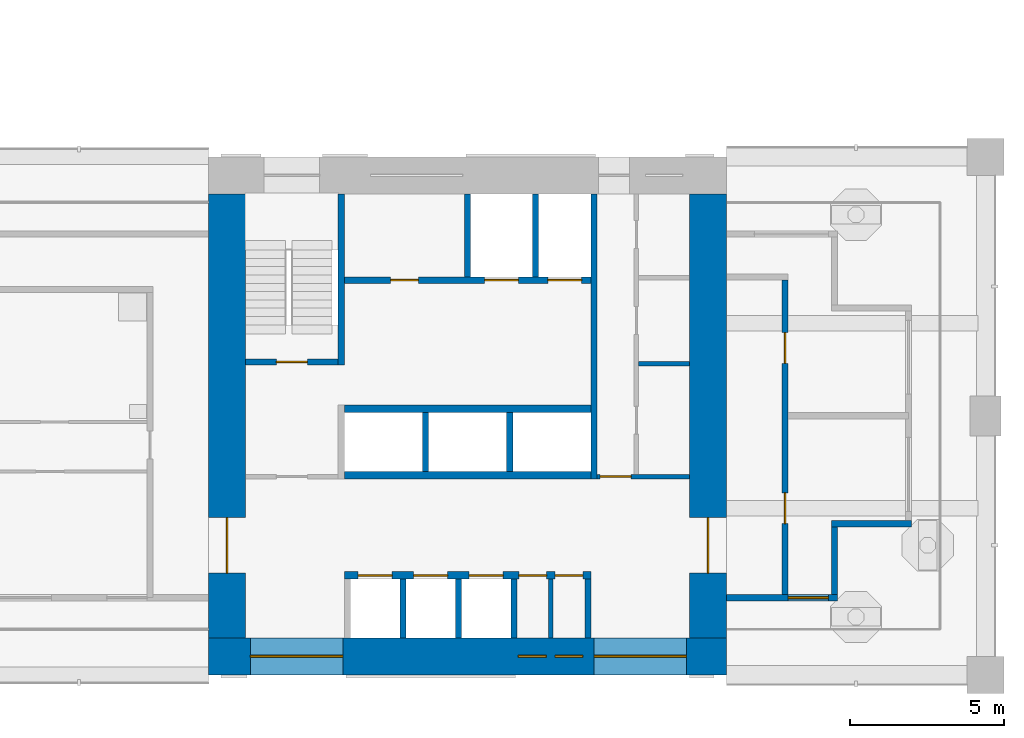
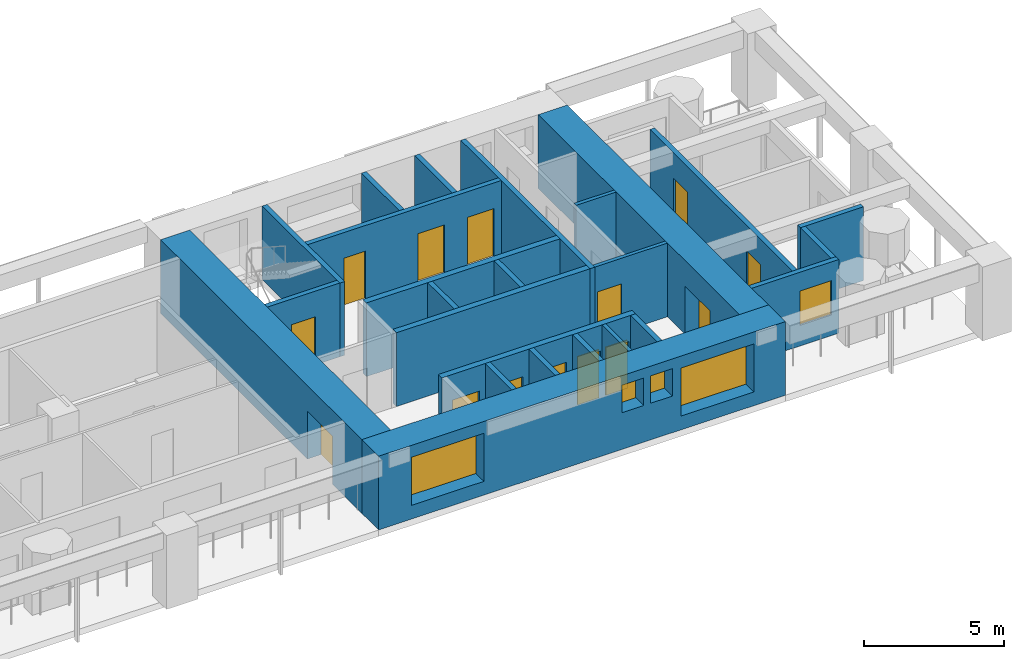
# One storey, part 5 of 18: 25 walls, 14 doors, 5 windows, 19 openings.
"""IFC4 building model written with IfcOpenShell, lengths in metres."""

import ifcopenshell
import ifcopenshell.guid

model = None  # the IFC model being written
_history = None  # IfcOwnerHistory: only IFC2X3 demands one
_inside = {}  # id of a spatial element -> (the spatial element, [elements in it])
_under = {}  # id of a project, library or spatial element -> (it, [spatial elements below it])
_declared = {}  # id of a project -> (the project, [libraries it declares])
_typed = {}  # id of a type object -> (the type object, [elements of that type])
_made_of = {}  # id of a material, layer set ... -> (it, [elements and type objects made of it])


def new_model(schema):
    """Start an empty IFC model of exactly this schema.

    Asked for "IFC4X3", IfcOpenShell would pick the latest addendum, in which some entities
    have other attributes; the version numbers below select the first issue.
    IFC2X3 requires an IfcOwnerHistory on every rooted entity: one is made here for all.
    """
    global model, _history
    if schema == "IFC4X3":
        model = ifcopenshell.file(schema_version=(4, 3, 0, 0))
    else:
        model = ifcopenshell.file(schema=schema)
    _inside.clear()
    _under.clear()
    _declared.clear()
    _typed.clear()
    _made_of.clear()
    _history = None
    if model.schema == "IFC2X3":
        org = make("IfcOrganization", Name="unknown")
        user = make(
            "IfcPersonAndOrganization",
            ThePerson=make("IfcPerson", FamilyName="unknown"),
            TheOrganization=org,
        )
        app = make(
            "IfcApplication",
            ApplicationDeveloper=org,
            Version="unknown",
            ApplicationFullName="unknown",
            ApplicationIdentifier="unknown",
        )
        _history = make(
            "IfcOwnerHistory",
            OwningUser=user,
            OwningApplication=app,
            ChangeAction="ADDED",
            CreationDate=0,
        )
    return model


def make(cls, **values):
    """One entity of the class cls with the attributes given. An attribute that is None is left unset."""
    return model.create_entity(
        cls, **{name: value for name, value in values.items() if value is not None}
    )


def rooted(cls, **values):
    """An entity with a GlobalId (a new one), such as an element, a storey or a relation."""
    return make(cls, GlobalId=ifcopenshell.guid.new(), OwnerHistory=_history, **values)


def si_unit(unit_type, name, prefix=None):
    """IfcSIUnit, for example si_unit("LENGTHUNIT", "METRE", prefix="MILLI")."""
    return make("IfcSIUnit", UnitType=unit_type, Prefix=prefix, Name=name)


def assignment(units):
    """IfcUnitAssignment: the units of a project."""
    return None if units is None else make("IfcUnitAssignment", Units=units)


def point(xyz):
    """IfcCartesianPoint."""
    return None if xyz is None else make("IfcCartesianPoint", Coordinates=xyz)


def direction(xyz):
    """IfcDirection."""
    return None if xyz is None else make("IfcDirection", DirectionRatios=xyz)


def frame(location, z_axis=None, x_axis=None):
    """IfcAxis2Placement3D, a coordinate frame: its origin and axes. An axis left out is left unset."""
    return make(
        "IfcAxis2Placement3D",
        Location=point(location),
        Axis=direction(z_axis),
        RefDirection=direction(x_axis),
    )


def frame_2d(location, x_axis=None):
    """IfcAxis2Placement2D, a coordinate frame in the plane: its origin and x axis."""
    return make(
        "IfcAxis2Placement2D", Location=point(location), RefDirection=direction(x_axis)
    )


def origin():
    """The frame at (0, 0, 0) with its axes left unset."""
    return frame((0.0, 0.0, 0.0))


def place(relative_to, where):
    """IfcLocalPlacement: puts the frame where relative to a parent placement (None: the world)."""
    return make(
        "IfcLocalPlacement", PlacementRelTo=relative_to, RelativePlacement=where
    )


def context(
    kind, dimensions, precision=None, world=None, true_north=None, identifier=None
):
    """IfcGeometricRepresentationContext, for example the 3D "Model" context."""
    return make(
        "IfcGeometricRepresentationContext",
        ContextIdentifier=identifier,
        ContextType=kind,
        CoordinateSpaceDimension=dimensions,
        Precision=precision,
        WorldCoordinateSystem=world,
        TrueNorth=true_north,
    )


def subcontext(parent, identifier, kind, view, scale=None):
    """IfcGeometricRepresentationSubContext, for example "Body" below "Model"."""
    return make(
        "IfcGeometricRepresentationSubContext",
        ContextIdentifier=identifier,
        ContextType=kind,
        ParentContext=parent,
        TargetScale=scale,
        TargetView=view,
    )


def project(units=None, contexts=None):
    """IfcProject with its units and contexts."""
    return rooted(
        "IfcProject",
        Name="project",
        RepresentationContexts=contexts,
        UnitsInContext=assignment(units),
    )


def spatial(cls, under=None, at=None, **own):
    """A site, building, storey or space (cls), placed at a placement, below another one or the project."""
    s = rooted(cls, ObjectPlacement=at, **own)
    if under is not None:
        _under.setdefault(under.id(), (under, []))[1].append(s)
    return s


def profile(cls, at=None, kind="AREA", **sizes):
    """A parametric profile (cls). Its sizes go by their IFC names, for example OverallWidth=200.0."""
    return make(cls, ProfileType=kind, Position=at, **sizes)


def rectangle(**sizes):
    """IfcRectangleProfileDef."""
    return profile("IfcRectangleProfileDef", **sizes)


def extrude(swept, where, along, depth):
    """IfcExtrudedAreaSolid: the profile swept, set in the frame where, extruded along a direction by depth."""
    return make(
        "IfcExtrudedAreaSolid",
        SweptArea=swept,
        Position=where,
        ExtrudedDirection=direction(along),
        Depth=depth,
    )


def shape(context_of_items, identifier, shape_type, items):
    """IfcShapeRepresentation: the items that make up one representation, for example the "Body"."""
    return make(
        "IfcShapeRepresentation",
        ContextOfItems=context_of_items,
        RepresentationIdentifier=identifier,
        RepresentationType=shape_type,
        Items=items,
    )


def material(Name=None, Category=None):
    """IfcMaterial."""
    return make("IfcMaterial", Name=Name, Category=Category)


def layer(
    of_material, thickness, ventilated=None, Name=None, Category=None, Priority=None
):
    """IfcMaterialLayer: one layer of a wall or slab, of a material (None: an air gap)."""
    return make(
        "IfcMaterialLayer",
        Material=of_material,
        LayerThickness=thickness,
        IsVentilated=ventilated,
        Name=Name,
        Category=Category,
        Priority=Priority,
    )


def layer_set(layers, Name=None):
    """IfcMaterialLayerSet."""
    return make("IfcMaterialLayerSet", MaterialLayers=layers, LayerSetName=Name)


def made_of(thing, what):
    """Note that an element or type object is made of a material, layer set ...; save() writes the relation."""
    if what is not None:
        _made_of.setdefault(what.id(), (what, []))[1].append(thing)
    return thing


def type_object(cls, material=None, **own):
    """A type object (cls), such as IfcWallType, which elements share."""
    return made_of(rooted(cls, **own), material)


def element(
    cls,
    number,
    at=None,
    inside=None,
    cuts=None,
    type_object=None,
    material=None,
    context=None,
    identifier="Body",
    shape_type=None,
    held_by="IfcProductDefinitionShape",
    body=None,
    shapes=None,
    **own,
):
    """One element of the class cls, such as IfcWall. Its Tag is "e" and its number.

    at: its placement. inside: the storey or other place that contains it. cuts: it is an
    opening in that element (IfcRelVoidsElement). A single representation is given by context,
    identifier, shape_type and body (its items); several are given by shapes. held_by: the class
    of the entity that holds the representations. save() writes the other relations.
    """
    e = rooted(cls, Tag="e%d" % number, ObjectPlacement=at, **own)
    if body is not None:
        shapes = [shape(context, identifier, shape_type, body)]
    if shapes is not None:
        e.Representation = make(held_by, Representations=shapes)
    if inside is not None:
        _inside.setdefault(inside.id(), (inside, []))[1].append(e)
    if cuts is not None:
        rooted(
            "IfcRelVoidsElement", RelatingBuildingElement=cuts, RelatedOpeningElement=e
        )
    if type_object is not None:
        _typed.setdefault(type_object.id(), (type_object, []))[1].append(e)
    return made_of(e, material)


def fill(opening, filler):
    """IfcRelFillsElement: the door or window that sits in an opening."""
    return rooted(
        "IfcRelFillsElement",
        RelatingOpeningElement=opening,
        RelatedBuildingElement=filler,
    )


def aggregate(whole, parts):
    """IfcRelAggregates: a whole, such as a stair, and the parts it consists of."""
    return rooted("IfcRelAggregates", RelatingObject=whole, RelatedObjects=parts)


def save(model, path):
    """Write the relations noted so far, then the file.

    IfcRelAggregates (storeys below a building ...), IfcRelContainedInSpatialStructure (elements
    in a storey), IfcRelDefinesByType, IfcRelAssociatesMaterial and IfcRelDeclares: one each for
    every whole, place, type object, material and project.
    """
    for whole, parts in _under.values():
        aggregate(whole, parts)
    for where, things in _inside.values():
        rooted(
            "IfcRelContainedInSpatialStructure",
            RelatedElements=things,
            RelatingStructure=where,
        )
    for kind, things in _typed.values():
        rooted("IfcRelDefinesByType", RelatedObjects=things, RelatingType=kind)
    for what, things in _made_of.values():
        rooted("IfcRelAssociatesMaterial", RelatedObjects=things, RelatingMaterial=what)
    for by, libraries in _declared.values():
        rooted("IfcRelDeclares", RelatingContext=by, RelatedDefinitions=libraries)
    model.write(path)


model = new_model("IFC4")

# Units and contexts
model_context = context("Model", 3, precision=1e-05, world=origin(), true_north=direction((0.0, 1.0)))
body_context = subcontext(model_context, "Body", "Model", "MODEL_VIEW")
ifc_project = project(units=[si_unit("LENGTHUNIT", "METRE"), si_unit("AREAUNIT", "SQUARE_METRE"), si_unit("VOLUMEUNIT", "CUBIC_METRE"), si_unit("PLANEANGLEUNIT", "RADIAN"), si_unit("MASSUNIT", "GRAM", prefix="KILO")], contexts=[model_context])

# Site, building, storey
site_placement = place(None, origin())
site = spatial("IfcSite", under=ifc_project, at=site_placement, CompositionType="ELEMENT")
building_placement = place(site_placement, origin())
building = spatial("IfcBuilding", under=site, at=building_placement, Name="Vermilion Gate Residences", CompositionType="ELEMENT")
storey_placement = place(building_placement, frame((0.0, 0.0, 88.199951171875)))
storey = spatial("IfcBuildingStorey", under=building, at=storey_placement, Name="L21", CompositionType="ELEMENT", Elevation=88.199951171875)

# Wall
ifc_material_1 = material(Name="Masonry blockwork", Category="masonry")
ifc_layer_1 = layer(ifc_material_1, 0.14990234375)
ifc_layer_set_1 = layer_set([ifc_layer_1], Name="BLOCKWORK PARTITION 150 EI 120")
wall_type_1 = type_object("IfcWallType", Name="BLOCKWORK PARTITION 150 EI 120", PredefinedType="PARTITIONING", material=ifc_layer_set_1)
wall_1_placement = place(storey_placement, frame((53.10009765625, 9.60009765625, 0.0), z_axis=(0.0, 0.0, 1.0), x_axis=(0.0, 1.0, 0.0)))
element("IfcWall", 1, at=wall_1_placement, inside=storey, type_object=wall_type_1, Name="Core room partition A21-SR-P0", PredefinedType="PARTITIONING", context=body_context, shape_type="SweptSolid", body=[
    extrude(rectangle(XDim=1.89990234375, YDim=0.14990234375, at=frame_2d((0.949951171875, 0.0))), origin(), (0.0, 0.0, 1.0), 3.219970703125),
])

# Wall, opening, door
wall_2_placement = place(storey_placement, frame((54.60009765625, 14.824951171875, 0.0), z_axis=(0.0, 0.0, 1.0), x_axis=(1.0, 0.0, 0.0)))
wall_2 = element("IfcWall", 2, at=wall_2_placement, inside=storey, type_object=wall_type_1, Name="Core room partition A21-ES-S", PredefinedType="PARTITIONING", context=body_context, shape_type="SweptSolid", body=[
    extrude(rectangle(XDim=3.0, YDim=0.14990234375, at=frame_2d((1.5, 0.0))), origin(), (0.0, 0.0, 1.0), 3.219970703125),
])
opening_1_placement = place(wall_2_placement, frame((0.10009765625, 0.0, 0.0)))
opening_1 = element("IfcOpeningElement", 3, at=opening_1_placement, cuts=wall_2, Name="Opening DK21013", PredefinedType="OPENING", context=body_context, shape_type="SweptSolid", body=[
    extrude(rectangle(XDim=1.0, YDim=2.10009765625, at=frame_2d((0.5, 1.050048828125))), frame((0.0, 0.0849609375, 0.0), z_axis=(0.0, -1.0, 0.0), x_axis=(1.0, 0.0, 0.0)), (0.0, 0.0, 1.0), 0.169921875),
])
ifc_material_2 = material(Name="Steel", Category="steel")
door_type_1 = type_object("IfcDoorType", Name="FIRE DOOR FD60 1000 X 2100", OperationType="SINGLE_SWING_LEFT", PredefinedType="DOOR", material=ifc_material_2)
door_1_placement = place(opening_1_placement, frame((1.0, 0.0, 0.0), z_axis=(0.0, 0.0, 1.0), x_axis=(-1.0, 0.0, 0.0)))
door_1 = element("IfcDoor", 4, at=door_1_placement, inside=storey, type_object=door_type_1, Name="Service corridor door A21", OperationType="SINGLE_SWING_LEFT", OverallHeight=2.10009765625, OverallWidth=1.0, PredefinedType="DOOR", context=body_context, shape_type="SweptSolid", body=[
    extrude(rectangle(XDim=1.0, YDim=2.10009765625, at=frame_2d((0.5, 1.050048828125))), frame((0.0, 0.02490234375, 0.0), z_axis=(0.0, -1.0, 0.0), x_axis=(1.0, 0.0, 0.0)), (0.0, 0.0, 1.0), 0.050048828125),
])
fill(opening_1, door_1)

# Wall
wall_3_placement = place(storey_placement, frame((55.949951171875, 18.4951171875, 0.0), z_axis=(0.0, 0.0, 1.0), x_axis=(1.0, 0.0, 0.0)))
element("IfcWall", 5, at=wall_3_placement, inside=storey, type_object=wall_type_1, Name="Core room partition A21-ES-P0", PredefinedType="PARTITIONING", context=body_context, shape_type="SweptSolid", body=[
    extrude(rectangle(XDim=1.650146484375, YDim=0.14990234375, at=frame_2d((0.8251953125, 0.0))), origin(), (0.0, 0.0, 1.0), 3.219970703125),
])

# Wall, opening, window
ifc_material_3 = material(Name="Insulated steel stud wall with terracotta rainscreen", Category="masonry")
ifc_layer_2 = layer(ifc_material_3, 0.199951171875)
ifc_layer_set_2 = layer_set([ifc_layer_2], Name="EXTERNAL WALL 200 TERRACOTTA RAINSCREEN")
wall_type_2 = type_object("IfcWallType", Name="EXTERNAL WALL 200 TERRACOTTA RAINSCREEN", PredefinedType="SOLIDWALL", material=ifc_layer_set_2)
wall_4_placement = place(storey_placement, frame((58.800048828125, 10.89990234375, 0.0), z_axis=(0.0, 0.0, 1.0), x_axis=(1.0, 0.0, 0.0)))
wall_4 = element("IfcWall", 6, at=wall_4_placement, inside=storey, type_object=wall_type_2, Name="External wall", PredefinedType="SOLIDWALL", context=body_context, shape_type="SweptSolid", body=[
    extrude(rectangle(XDim=3.599853515625, YDim=0.199951171875, at=frame_2d((1.7998046875, 0.0))), origin(), (0.0, 0.0, 1.0), 3.219970703125),
])
opening_2_placement = place(wall_4_placement, frame((2.0, 0.0, 0.89990234375)))
opening_2 = element("IfcOpeningElement", 7, at=opening_2_placement, cuts=wall_4, Name="Opening WE21020", PredefinedType="OPENING", context=body_context, shape_type="SweptSolid", body=[
    extrude(rectangle(XDim=1.300048828125, YDim=1.5, at=frame_2d((0.64990234375, 0.75))), frame((0.0, 0.10986328125, 0.0), z_axis=(0.0, -1.0, 0.0), x_axis=(1.0, 0.0, 0.0)), (0.0, 0.0, 1.0), 0.219970703125),
])
ifc_material_4 = material(Name="Aluminium and clear glass", Category="aluminium")
window_type_1 = type_object("IfcWindowType", Name="WINDOW 1300 X 1500", PartitioningType="SINGLE_PANEL", PredefinedType="WINDOW", material=ifc_material_4)
window_1_placement = place(opening_2_placement, origin())
window_1 = element("IfcWindow", 8, at=window_1_placement, inside=storey, type_object=window_type_1, Name="Window", OverallHeight=1.5, OverallWidth=1.300048828125, PartitioningType="SINGLE_PANEL", PredefinedType="WINDOW", context=body_context, shape_type="SweptSolid", body=[
    extrude(rectangle(XDim=1.300048828125, YDim=1.5, at=frame_2d((0.64990234375, 0.75))), frame((0.0, 0.030029296875, 0.0), z_axis=(0.0, -1.0, 0.0), x_axis=(1.0, 0.0, 0.0)), (0.0, 0.0, 1.0), 0.06005859375),
])
fill(opening_2, window_1)

# Walls
wall_5_placement = place(storey_placement, frame((62.300048828125, 11.0, 0.0), z_axis=(0.0, 0.0, 1.0), x_axis=(0.0, 1.0, 0.0)))
element("IfcWall", 9, at=wall_5_placement, inside=storey, type_object=wall_type_2, Name="External wall", PredefinedType="SOLIDWALL", context=body_context, shape_type="SweptSolid", body=[
    extrude(rectangle(XDim=2.199951171875, YDim=0.199951171875, at=frame_2d((1.10009765625, 0.0))), origin(), (0.0, 0.0, 1.0), 3.219970703125),
])
wall_6_placement = place(storey_placement, frame((62.199951171875, 13.300048828125, 0.0), z_axis=(0.0, 0.0, 1.0), x_axis=(1.0, 0.0, 0.0)))
element("IfcWall", 10, at=wall_6_placement, inside=storey, type_object=wall_type_2, Name="External wall", PredefinedType="SOLIDWALL", context=body_context, shape_type="SweptSolid", body=[
    extrude(rectangle(XDim=2.60009765625, YDim=0.199951171875, at=frame_2d((1.300048828125, 0.0))), origin(), (0.0, 0.0, 1.0), 3.219970703125),
])

# Wall, openings, doors
ifc_material_5 = material(Name="Fire-rated plasterboard on steel studs", Category="steel")
ifc_layer_3 = layer(ifc_material_5, 0.199951171875)
ifc_layer_set_3 = layer_set([ifc_layer_3], Name="PARTY WALL 200 EI 120")
wall_type_3 = type_object("IfcWallType", Name="PARTY WALL 200 EI 120", PredefinedType="PARTITIONING", material=ifc_layer_set_3)
wall_7_placement = place(storey_placement, frame((60.699951171875, 10.89990234375, 0.0), z_axis=(0.0, 0.0, 1.0), x_axis=(0.0, 1.0, 0.0)))
wall_7 = element("IfcWall", 11, at=wall_7_placement, inside=storey, type_object=wall_type_3, Name="Party and corridor wall", PredefinedType="PARTITIONING", context=body_context, shape_type="SweptSolid", body=[
    extrude(rectangle(XDim=10.300048828125, YDim=0.199951171875, at=frame_2d((5.14990234375, 0.0))), origin(), (0.0, 0.0, 1.0), 3.219970703125),
])
opening_3_placement = place(wall_7_placement, frame((2.39990234375, 0.0, 0.0)))
opening_3 = element("IfcOpeningElement", 12, at=opening_3_placement, cuts=wall_7, Name="Opening DA19046", PredefinedType="OPENING", context=body_context, shape_type="SweptSolid", body=[
    extrude(rectangle(XDim=1.0, YDim=2.10009765625, at=frame_2d((0.5, 1.050048828125))), frame((0.0, 0.10986328125, 0.0), z_axis=(0.0, -1.0, 0.0), x_axis=(1.0, 0.0, 0.0)), (0.0, 0.0, 1.0), 0.219970703125),
])
opening_4_placement = place(wall_7_placement, frame((7.60009765625, 0.0, 0.0)))
opening_4 = element("IfcOpeningElement", 13, at=opening_4_placement, cuts=wall_7, Name="Opening DA19047", PredefinedType="OPENING", context=body_context, shape_type="SweptSolid", body=[
    extrude(rectangle(XDim=1.0, YDim=2.10009765625, at=frame_2d((0.5, 1.050048828125))), frame((0.0, 0.10986328125, 0.0), z_axis=(0.0, -1.0, 0.0), x_axis=(1.0, 0.0, 0.0)), (0.0, 0.0, 1.0), 0.219970703125),
])
ifc_material_6 = material(Name="Steel", Category="steel")
door_type_2 = type_object("IfcDoorType", Name="ENTRANCE DOOR 1000 X 2100 FD30", OperationType="SINGLE_SWING_LEFT", PredefinedType="DOOR", material=ifc_material_6)
door_2_placement = place(opening_3_placement, frame((1.0, 0.0, 0.0), z_axis=(0.0, 0.0, 1.0), x_axis=(-1.0, 0.0, 0.0)))
door_2 = element("IfcDoor", 14, at=door_2_placement, inside=storey, type_object=door_type_2, Name="Entrance door", OperationType="SINGLE_SWING_RIGHT", OverallHeight=2.10009765625, OverallWidth=1.0, PredefinedType="DOOR", context=body_context, shape_type="SweptSolid", body=[
    extrude(rectangle(XDim=1.0, YDim=2.10009765625, at=frame_2d((0.5, 1.050048828125))), frame((0.0, 0.02490234375, 0.0), z_axis=(0.0, -1.0, 0.0), x_axis=(1.0, 0.0, 0.0)), (0.0, 0.0, 1.0), 0.050048828125),
])
fill(opening_3, door_2)
door_3_placement = place(opening_4_placement, frame((1.0, 0.0, 0.0), z_axis=(0.0, 0.0, 1.0), x_axis=(-1.0, 0.0, 0.0)))
door_3 = element("IfcDoor", 15, at=door_3_placement, inside=storey, type_object=door_type_2, Name="Entrance door", OperationType="SINGLE_SWING_RIGHT", OverallHeight=2.10009765625, OverallWidth=1.0, PredefinedType="DOOR", context=body_context, shape_type="SweptSolid", body=[
    extrude(rectangle(XDim=1.0, YDim=2.10009765625, at=frame_2d((0.5, 1.050048828125))), frame((0.0, 0.02490234375, 0.0), z_axis=(0.0, -1.0, 0.0), x_axis=(1.0, 0.0, 0.0)), (0.0, 0.0, 1.0), 0.050048828125),
])
fill(opening_4, door_3)

# Walls
ifc_material_7 = material(Name="Concrete C60", Category="concrete")
ifc_layer_4 = layer(ifc_material_7, 0.199951171875)
ifc_layer_set_4 = layer_set([ifc_layer_4], Name="RC CORE INTERNAL WALL 200 C60")
wall_type_4 = type_object("IfcWallType", Name="RC CORE INTERNAL WALL 200 C60", PredefinedType="SHEAR", material=ifc_layer_set_4)
for number, where, z_axis, x_axis, name in (
    (16, (48.300048828125, 9.60009765625, 0.0), (0.0, 0.0, 1.0), (0.0, 1.0, 0.0), "Core internal wall A21-LR-D1"),
    (17, (50.10009765625, 9.60009765625, 0.0), (0.0, 0.0, 1.0), (0.0, 1.0, 0.0), "Core internal wall A21-LR-D2"),
    (18, (51.89990234375, 9.60009765625, 0.0), (0.0, 0.0, 1.0), (0.0, 1.0, 0.0), "Core internal wall A21-LR-D3"),
    (19, (54.300048828125, 9.60009765625, 0.0), (0.0, 0.0, 1.0), (0.0, 1.0, 0.0), "Core internal wall A21-LR-DE"),
    (20, (49.033447265625, 15.0, 0.0), (0.0, 0.0, 1.0), (0.0, 1.0, 0.0), "Core internal wall A21-HR-D1"),
    (21, (51.7666015625, 15.0, 0.0), (0.0, 0.0, 1.0), (0.0, 1.0, 0.0), "Core internal wall A21-HR-D2"),
):
    element("IfcWall", number, at=place(storey_placement, frame(where, z_axis=z_axis, x_axis=x_axis)), inside=storey, type_object=wall_type_4, Name=name, PredefinedType="SHEAR", context=body_context, shape_type="SweptSolid", body=[
        extrude(rectangle(XDim=1.89990234375, YDim=0.199951171875, at=frame_2d((0.949951171875, 0.0))), origin(), (0.0, 0.0, 1.0), 3.219970703125),
    ])
for number, where, z_axis, x_axis, name in (
    (22, (50.39990234375, 21.300048828125, 0.0), (0.0, 0.0, 1.0), (0.0, 1.0, 0.0), "Core internal wall A21-FF-D0"),
    (23, (52.60009765625, 21.300048828125, 0.0), (0.0, 0.0, 1.0), (0.0, 1.0, 0.0), "Core internal wall A21-FF-D1"),
):
    element("IfcWall", number, at=place(storey_placement, frame(where, z_axis=z_axis, x_axis=x_axis)), inside=storey, type_object=wall_type_4, Name=name, PredefinedType="SHEAR", context=body_context, shape_type="SweptSolid", body=[
        extrude(rectangle(XDim=2.699951171875, YDim=0.199951171875, at=frame_2d((1.35009765625, 0.0))), origin(), (0.0, 0.0, 1.0), 3.219970703125),
    ])

# Wall, openings, doors
wall_8_placement = place(storey_placement, frame((46.39990234375, 21.199951171875, 0.0), z_axis=(0.0, 0.0, 1.0), x_axis=(1.0, 0.0, 0.0)))
wall_8 = element("IfcWall", 24, at=wall_8_placement, inside=storey, type_object=wall_type_4, Name="Core internal wall A21-FF-F", PredefinedType="SHEAR", context=body_context, shape_type="SweptSolid", body=[
    extrude(rectangle(XDim=8.0, YDim=0.199951171875, at=frame_2d((4.0, 0.0))), origin(), (0.0, 0.0, 1.0), 3.219970703125),
])
opening_5_placement = place(wall_8_placement, frame((1.5, 0.0, 0.0)))
opening_5 = element("IfcOpeningElement", 25, at=opening_5_placement, cuts=wall_8, Name="Opening DK21008", PredefinedType="OPENING", context=body_context, shape_type="SweptSolid", body=[
    extrude(rectangle(XDim=0.89990234375, YDim=2.10009765625, at=frame_2d((0.449951171875, 1.050048828125))), frame((0.0, 0.10986328125, 0.0), z_axis=(0.0, -1.0, 0.0), x_axis=(1.0, 0.0, 0.0)), (0.0, 0.0, 1.0), 0.219970703125),
])
opening_6_placement = place(wall_8_placement, frame((4.550048828125, 0.0, 0.0)))
opening_6 = element("IfcOpeningElement", 26, at=opening_6_placement, cuts=wall_8, Name="Opening LD", PredefinedType="OPENING", context=body_context, shape_type="SweptSolid", body=[
    extrude(rectangle(XDim=1.10009765625, YDim=2.10009765625, at=frame_2d((0.550048828125, 1.050048828125))), frame((0.0, 0.10986328125, 0.0), z_axis=(0.0, -1.0, 0.0), x_axis=(1.0, 0.0, 0.0)), (0.0, 0.0, 1.0), 0.219970703125),
])
opening_7_placement = place(wall_8_placement, frame((6.60009765625, 0.0, 0.0)))
opening_7 = element("IfcOpeningElement", 27, at=opening_7_placement, cuts=wall_8, Name="Opening LD", PredefinedType="OPENING", context=body_context, shape_type="SweptSolid", body=[
    extrude(rectangle(XDim=1.10009765625, YDim=2.10009765625, at=frame_2d((0.550048828125, 1.050048828125))), frame((0.0, 0.10986328125, 0.0), z_axis=(0.0, -1.0, 0.0), x_axis=(1.0, 0.0, 0.0)), (0.0, 0.0, 1.0), 0.219970703125),
])
ifc_material_8 = material(Name="Stainless steel", Category="steel")
door_type_3 = type_object("IfcDoorType", Name="LIFT LANDING DOOR E60 1100 X 2100", OperationType="DOUBLE_DOOR_SLIDING", PredefinedType="DOOR", material=ifc_material_8)
door_4_placement = place(opening_6_placement, origin())
door_4 = element("IfcDoor", 28, at=door_4_placement, inside=storey, type_object=door_type_3, Name="Lift landing door LFA1", OperationType="DOUBLE_DOOR_SLIDING", OverallHeight=2.10009765625, OverallWidth=1.10009765625, PredefinedType="DOOR", context=body_context, shape_type="SweptSolid", body=[
    extrude(rectangle(XDim=1.10009765625, YDim=2.10009765625, at=frame_2d((0.550048828125, 1.050048828125))), frame((0.0, 0.02490234375, 0.0), z_axis=(0.0, -1.0, 0.0), x_axis=(1.0, 0.0, 0.0)), (0.0, 0.0, 1.0), 0.050048828125),
])
fill(opening_6, door_4)
door_5_placement = place(opening_7_placement, origin())
door_5 = element("IfcDoor", 29, at=door_5_placement, inside=storey, type_object=door_type_3, Name="Lift landing door LCA1", OperationType="DOUBLE_DOOR_SLIDING", OverallHeight=2.10009765625, OverallWidth=1.10009765625, PredefinedType="DOOR", context=body_context, shape_type="SweptSolid", body=[
    extrude(rectangle(XDim=1.10009765625, YDim=2.10009765625, at=frame_2d((0.550048828125, 1.050048828125))), frame((0.0, 0.02490234375, 0.0), z_axis=(0.0, -1.0, 0.0), x_axis=(1.0, 0.0, 0.0)), (0.0, 0.0, 1.0), 0.050048828125),
])
fill(opening_7, door_5)
ifc_material_9 = material(Name="Steel", Category="steel")
door_type_4 = type_object("IfcDoorType", Name="SERVICE ROOM DOOR FD60 900 X 2100", OperationType="SINGLE_SWING_LEFT", PredefinedType="DOOR", material=ifc_material_9)
door_6_placement = place(opening_5_placement, origin())
door_6 = element("IfcDoor", 30, at=door_6_placement, inside=storey, type_object=door_type_4, Name="Communications riser A21", OperationType="SINGLE_SWING_LEFT", OverallHeight=2.10009765625, OverallWidth=0.89990234375, PredefinedType="DOOR", context=body_context, shape_type="SweptSolid", body=[
    extrude(rectangle(XDim=0.89990234375, YDim=2.10009765625, at=frame_2d((0.449951171875, 1.050048828125))), frame((0.0, 0.02490234375, 0.0), z_axis=(0.0, -1.0, 0.0), x_axis=(1.0, 0.0, 0.0)), (0.0, 0.0, 1.0), 0.050048828125),
])
fill(opening_5, door_6)

# Wall
wall_9_placement = place(storey_placement, frame((46.300048828125, 18.449951171875, 0.0), z_axis=(0.0, 0.0, 1.0), x_axis=(0.0, 1.0, 0.0)))
element("IfcWall", 31, at=wall_9_placement, inside=storey, type_object=wall_type_4, Name="Core internal wall A21-WDIV2", PredefinedType="SHEAR", context=body_context, shape_type="SweptSolid", body=[
    extrude(rectangle(XDim=5.550048828125, YDim=0.199951171875, at=frame_2d((2.77490234375, 0.0))), origin(), (0.0, 0.0, 1.0), 3.219970703125),
])

# Wall, opening, door
wall_10_placement = place(storey_placement, frame((43.199951171875, 18.550048828125, 0.0), z_axis=(0.0, 0.0, 1.0), x_axis=(1.0, 0.0, 0.0)))
wall_10 = element("IfcWall", 32, at=wall_10_placement, inside=storey, type_object=wall_type_4, Name="Core internal wall A21-STW-S", PredefinedType="SHEAR", context=body_context, shape_type="SweptSolid", body=[
    extrude(rectangle(XDim=3.0, YDim=0.199951171875, at=frame_2d((1.5, 0.0))), origin(), (0.0, 0.0, 1.0), 3.219970703125),
])
opening_8_placement = place(wall_10_placement, frame((1.0, 0.0, 0.0)))
opening_8 = element("IfcOpeningElement", 33, at=opening_8_placement, cuts=wall_10, Name="Opening DK21012", PredefinedType="OPENING", context=body_context, shape_type="SweptSolid", body=[
    extrude(rectangle(XDim=1.0, YDim=2.10009765625, at=frame_2d((0.5, 1.050048828125))), frame((0.0, 0.10986328125, 0.0), z_axis=(0.0, -1.0, 0.0), x_axis=(1.0, 0.0, 0.0)), (0.0, 0.0, 1.0), 0.219970703125),
])
door_7_placement = place(opening_8_placement, origin())
door_7 = element("IfcDoor", 34, at=door_7_placement, inside=storey, type_object=door_type_1, Name="Stair door A21", OperationType="SINGLE_SWING_LEFT", OverallHeight=2.10009765625, OverallWidth=1.0, PredefinedType="DOOR", context=body_context, shape_type="SweptSolid", body=[
    extrude(rectangle(XDim=1.0, YDim=2.10009765625, at=frame_2d((0.5, 1.050048828125))), frame((0.0, 0.02490234375, 0.0), z_axis=(0.0, -1.0, 0.0), x_axis=(1.0, 0.0, 0.0)), (0.0, 0.0, 1.0), 0.050048828125),
])
fill(opening_8, door_7)

# Wall
wall_11_placement = place(storey_placement, frame((54.5, 14.75, 0.0), z_axis=(0.0, 0.0, 1.0), x_axis=(0.0, 1.0, 0.0)))
element("IfcWall", 35, at=wall_11_placement, inside=storey, type_object=wall_type_4, Name="Core internal wall A21-EDIV", PredefinedType="SHEAR", context=body_context, shape_type="SweptSolid", body=[
    extrude(rectangle(XDim=9.25, YDim=0.199951171875, at=frame_2d((4.625, 0.0))), origin(), (0.0, 0.0, 1.0), 3.219970703125),
])

# Wall, opening, door
ifc_material_10 = material(Name="Concrete C70", Category="concrete")
ifc_layer_5 = layer(ifc_material_10, 1.199951171875)
ifc_layer_set_5 = layer_set([ifc_layer_5], Name="RC CORE WALL 1200 C70")
wall_type_5 = type_object("IfcWallType", Name="RC CORE WALL 1200 C70", PredefinedType="SHEAR", material=ifc_layer_set_5)
wall_12_placement = place(storey_placement, frame((42.60009765625, 9.60009765625, 0.0), z_axis=(0.0, 0.0, 1.0), x_axis=(0.0, 1.0, 0.0)))
wall_12 = element("IfcWall", 36, at=wall_12_placement, inside=storey, type_object=wall_type_5, Name="Core wall A21-OUT-FR", PredefinedType="SHEAR", context=body_context, shape_type="SweptSolid", body=[
    extrude(rectangle(XDim=14.39990234375, YDim=1.199951171875, at=frame_2d((7.199951171875, 0.0))), origin(), (0.0, 0.0, 1.0), 3.219970703125),
])
opening_9_placement = place(wall_12_placement, frame((2.10009765625, 0.0, 0.0)))
opening_9 = element("IfcOpeningElement", 37, at=opening_9_placement, cuts=wall_12, Name="Opening DK21001", PredefinedType="OPENING", context=body_context, shape_type="SweptSolid", body=[
    extrude(rectangle(XDim=1.800048828125, YDim=2.10009765625, at=frame_2d((0.89990234375, 1.050048828125))), frame((0.0, 0.60986328125, 0.0), z_axis=(0.0, -1.0, 0.0), x_axis=(1.0, 0.0, 0.0)), (0.0, 0.0, 1.0), 1.219970703125),
])
ifc_material_11 = material(Name="Steel", Category="steel")
door_type_5 = type_object("IfcDoorType", Name="CORE LOBBY DOOR FD60 1800 X 2100", OperationType="DOUBLE_DOOR_SINGLE_SWING", PredefinedType="DOOR", material=ifc_material_11)
door_8_placement = place(opening_9_placement, frame((1.800048828125, 0.0, 0.0), z_axis=(0.0, 0.0, 1.0), x_axis=(-1.0, 0.0, 0.0)))
door_8 = element("IfcDoor", 38, at=door_8_placement, inside=storey, type_object=door_type_5, Name="Core lobby door A21", OperationType="DOUBLE_DOOR_SINGLE_SWING", OverallHeight=2.10009765625, OverallWidth=1.800048828125, PredefinedType="DOOR", context=body_context, shape_type="SweptSolid", body=[
    extrude(rectangle(XDim=1.800048828125, YDim=2.10009765625, at=frame_2d((0.89990234375, 1.050048828125))), frame((0.0, 0.02490234375, 0.0), z_axis=(0.0, -1.0, 0.0), x_axis=(1.0, 0.0, 0.0)), (0.0, 0.0, 1.0), 0.050048828125),
])
fill(opening_9, door_8)

wall_13_placement = place(storey_placement, frame((58.199951171875, 9.60009765625, 0.0), z_axis=(0.0, 0.0, 1.0), x_axis=(0.0, 1.0, 0.0)))
wall_13 = element("IfcWall", 39, at=wall_13_placement, inside=storey, type_object=wall_type_5, Name="Core wall A21-OUT-BK", PredefinedType="SHEAR", context=body_context, shape_type="SweptSolid", body=[
    extrude(rectangle(XDim=14.39990234375, YDim=1.199951171875, at=frame_2d((7.199951171875, 0.0))), origin(), (0.0, 0.0, 1.0), 3.219970703125),
])
opening_10_placement = place(wall_13_placement, frame((2.10009765625, 0.0, 0.0)))
opening_10 = element("IfcOpeningElement", 40, at=opening_10_placement, cuts=wall_13, Name="Opening DK21002", PredefinedType="OPENING", context=body_context, shape_type="SweptSolid", body=[
    extrude(rectangle(XDim=1.800048828125, YDim=2.10009765625, at=frame_2d((0.89990234375, 1.050048828125))), frame((0.0, 0.60986328125, 0.0), z_axis=(0.0, -1.0, 0.0), x_axis=(1.0, 0.0, 0.0)), (0.0, 0.0, 1.0), 1.219970703125),
])
door_9_placement = place(opening_10_placement, origin())
door_9 = element("IfcDoor", 41, at=door_9_placement, inside=storey, type_object=door_type_5, Name="Core lobby door A21", OperationType="DOUBLE_DOOR_SINGLE_SWING", OverallHeight=2.10009765625, OverallWidth=1.800048828125, PredefinedType="DOOR", context=body_context, shape_type="SweptSolid", body=[
    extrude(rectangle(XDim=1.800048828125, YDim=2.10009765625, at=frame_2d((0.89990234375, 1.050048828125))), frame((0.0, 0.02490234375, 0.0), z_axis=(0.0, -1.0, 0.0), x_axis=(1.0, 0.0, 0.0)), (0.0, 0.0, 1.0), 0.050048828125),
])
fill(opening_10, door_9)

# Wall, openings, windows
ifc_material_12 = material(Name="Concrete C70 red-oxide pigmented", Category="concrete")
ifc_layer_6 = layer(ifc_material_12, 1.199951171875)
ifc_layer_set_6 = layer_set([ifc_layer_6], Name="RC CORE WALL 1200 C70 RED OXIDE")
wall_type_6 = type_object("IfcWallType", Name="RC CORE WALL 1200 C70 RED OXIDE", PredefinedType="SHEAR", material=ifc_layer_set_6)
wall_14_placement = place(storey_placement, frame((42.0, 9.0, 0.0), z_axis=(0.0, 0.0, 1.0), x_axis=(1.0, 0.0, 0.0)))
wall_14 = element("IfcWall", 42, at=wall_14_placement, inside=storey, type_object=wall_type_6, Name="Core wall A21-OUT-B0", PredefinedType="SHEAR", context=body_context, shape_type="SweptSolid", body=[
    extrude(rectangle(XDim=16.800048828125, YDim=1.199951171875, at=frame_2d((8.39990234375, 0.0))), origin(), (0.0, 0.0, 1.0), 3.219970703125),
])
opening_11_placement = place(wall_14_placement, frame((1.35009765625, 0.0, 0.60009765625)))
opening_11 = element("IfcOpeningElement", 43, at=opening_11_placement, cuts=wall_14, Name="Opening WKA2101", PredefinedType="OPENING", context=body_context, shape_type="SweptSolid", body=[
    extrude(rectangle(XDim=3.0, YDim=2.10009765625, at=frame_2d((1.5, 1.050048828125))), frame((0.0, 0.60986328125, 0.0), z_axis=(0.0, -1.0, 0.0), x_axis=(1.0, 0.0, 0.0)), (0.0, 0.0, 1.0), 1.219970703125),
])
opening_12_placement = place(wall_14_placement, frame((10.050048828125, 0.0, 1.60009765625)))
opening_12 = element("IfcOpeningElement", 44, at=opening_12_placement, cuts=wall_14, Name="Opening WKA2102", PredefinedType="OPENING", context=body_context, shape_type="SweptSolid", body=[
    extrude(rectangle(XDim=0.89990234375, YDim=1.199951171875, at=frame_2d((0.449951171875, 0.60009765625))), frame((0.0, 0.60986328125, 0.0), z_axis=(0.0, -1.0, 0.0), x_axis=(1.0, 0.0, 0.0)), (0.0, 0.0, 1.0), 1.219970703125),
])
opening_13_placement = place(wall_14_placement, frame((11.237548828125, 0.0, 1.60009765625)))
opening_13 = element("IfcOpeningElement", 45, at=opening_13_placement, cuts=wall_14, Name="Opening WKA2103", PredefinedType="OPENING", context=body_context, shape_type="SweptSolid", body=[
    extrude(rectangle(XDim=0.89990234375, YDim=1.199951171875, at=frame_2d((0.449951171875, 0.60009765625))), frame((0.0, 0.60986328125, 0.0), z_axis=(0.0, -1.0, 0.0), x_axis=(1.0, 0.0, 0.0)), (0.0, 0.0, 1.0), 1.219970703125),
])
opening_14_placement = place(wall_14_placement, frame((12.5, 0.0, 0.60009765625)))
opening_14 = element("IfcOpeningElement", 46, at=opening_14_placement, cuts=wall_14, Name="Opening WKA2104", PredefinedType="OPENING", context=body_context, shape_type="SweptSolid", body=[
    extrude(rectangle(XDim=3.0, YDim=2.10009765625, at=frame_2d((1.5, 1.050048828125))), frame((0.0, 0.60986328125, 0.0), z_axis=(0.0, -1.0, 0.0), x_axis=(1.0, 0.0, 0.0)), (0.0, 0.0, 1.0), 1.219970703125),
])
ifc_material_13 = material(Name="Aluminium and clear glass", Category="aluminium")
window_type_2 = type_object("IfcWindowType", Name="CORE LOBBY WINDOW 3000 X 2100", PartitioningType="SINGLE_PANEL", PredefinedType="WINDOW", material=ifc_material_13)
window_2_placement = place(opening_11_placement, origin())
window_2 = element("IfcWindow", 47, at=window_2_placement, inside=storey, type_object=window_type_2, Name="Core lobby window", OverallHeight=2.10009765625, OverallWidth=3.0, PartitioningType="SINGLE_PANEL", PredefinedType="WINDOW", context=body_context, shape_type="SweptSolid", body=[
    extrude(rectangle(XDim=3.0, YDim=2.10009765625, at=frame_2d((1.5, 1.050048828125))), frame((0.0, 0.030029296875, 0.0), z_axis=(0.0, -1.0, 0.0), x_axis=(1.0, 0.0, 0.0)), (0.0, 0.0, 1.0), 0.06005859375),
])
fill(opening_11, window_2)
window_3_placement = place(opening_14_placement, origin())
window_3 = element("IfcWindow", 48, at=window_3_placement, inside=storey, type_object=window_type_2, Name="Core lobby window", OverallHeight=2.10009765625, OverallWidth=3.0, PartitioningType="SINGLE_PANEL", PredefinedType="WINDOW", context=body_context, shape_type="SweptSolid", body=[
    extrude(rectangle(XDim=3.0, YDim=2.10009765625, at=frame_2d((1.5, 1.050048828125))), frame((0.0, 0.030029296875, 0.0), z_axis=(0.0, -1.0, 0.0), x_axis=(1.0, 0.0, 0.0)), (0.0, 0.0, 1.0), 0.06005859375),
])
fill(opening_14, window_3)
ifc_material_14 = material(Name="Aluminium frame with louvre blades", Category="aluminium")
window_type_3 = type_object("IfcWindowType", Name="CORE LOUVRE 900 X 1200", PartitioningType="SINGLE_PANEL", PredefinedType="WINDOW", material=ifc_material_14)
window_4_placement = place(opening_12_placement, origin())
window_4 = element("IfcWindow", 49, at=window_4_placement, inside=storey, type_object=window_type_3, Name="Core louvre", OverallHeight=1.199951171875, OverallWidth=0.89990234375, PartitioningType="SINGLE_PANEL", PredefinedType="WINDOW", context=body_context, shape_type="SweptSolid", body=[
    extrude(rectangle(XDim=0.89990234375, YDim=1.199951171875, at=frame_2d((0.449951171875, 0.60009765625))), frame((0.0, 0.030029296875, 0.0), z_axis=(0.0, -1.0, 0.0), x_axis=(1.0, 0.0, 0.0)), (0.0, 0.0, 1.0), 0.06005859375),
])
fill(opening_12, window_4)
window_5_placement = place(opening_13_placement, origin())
window_5 = element("IfcWindow", 50, at=window_5_placement, inside=storey, type_object=window_type_3, Name="Core louvre", OverallHeight=1.199951171875, OverallWidth=0.89990234375, PartitioningType="SINGLE_PANEL", PredefinedType="WINDOW", context=body_context, shape_type="SweptSolid", body=[
    extrude(rectangle(XDim=0.89990234375, YDim=1.199951171875, at=frame_2d((0.449951171875, 0.60009765625))), frame((0.0, 0.030029296875, 0.0), z_axis=(0.0, -1.0, 0.0), x_axis=(1.0, 0.0, 0.0)), (0.0, 0.0, 1.0), 0.06005859375),
])
fill(opening_13, window_5)

# Wall, openings, doors
ifc_material_15 = material(Name="Concrete C60", Category="concrete")
ifc_layer_7 = layer(ifc_material_15, 0.25)
ifc_layer_set_7 = layer_set([ifc_layer_7], Name="RC LIFT SHAFT WALL 250 C60")
wall_type_7 = type_object("IfcWallType", Name="RC LIFT SHAFT WALL 250 C60", PredefinedType="SHEAR", material=ifc_layer_set_7)
wall_15_placement = place(storey_placement, frame((46.39990234375, 11.625, 0.0), z_axis=(0.0, 0.0, 1.0), x_axis=(1.0, 0.0, 0.0)))
wall_15 = element("IfcWall", 51, at=wall_15_placement, inside=storey, type_object=wall_type_7, Name="Lift shaft wall A21-LR-F", PredefinedType="SHEAR", context=body_context, shape_type="SweptSolid", body=[
    extrude(rectangle(XDim=8.0, YDim=0.25, at=frame_2d((4.0, 0.0))), origin(), (0.0, 0.0, 1.0), 3.219970703125),
])
opening_15_placement = place(wall_15_placement, frame((0.449951171875, 0.0, 0.0)))
opening_15 = element("IfcOpeningElement", 52, at=opening_15_placement, cuts=wall_15, Name="Opening LD", PredefinedType="OPENING", context=body_context, shape_type="SweptSolid", body=[
    extrude(rectangle(XDim=1.10009765625, YDim=2.10009765625, at=frame_2d((0.550048828125, 1.050048828125))), frame((0.0, 0.135009765625, 0.0), z_axis=(0.0, -1.0, 0.0), x_axis=(1.0, 0.0, 0.0)), (0.0, 0.0, 1.0), 0.27001953125),
])
opening_16_placement = place(wall_15_placement, frame((2.25, 0.0, 0.0)))
opening_16 = element("IfcOpeningElement", 53, at=opening_16_placement, cuts=wall_15, Name="Opening LD", PredefinedType="OPENING", context=body_context, shape_type="SweptSolid", body=[
    extrude(rectangle(XDim=1.10009765625, YDim=2.10009765625, at=frame_2d((0.550048828125, 1.050048828125))), frame((0.0, 0.135009765625, 0.0), z_axis=(0.0, -1.0, 0.0), x_axis=(1.0, 0.0, 0.0)), (0.0, 0.0, 1.0), 0.27001953125),
])
opening_17_placement = place(wall_15_placement, frame((4.050048828125, 0.0, 0.0)))
opening_17 = element("IfcOpeningElement", 54, at=opening_17_placement, cuts=wall_15, Name="Opening LD", PredefinedType="OPENING", context=body_context, shape_type="SweptSolid", body=[
    extrude(rectangle(XDim=1.10009765625, YDim=2.10009765625, at=frame_2d((0.550048828125, 1.050048828125))), frame((0.0, 0.135009765625, 0.0), z_axis=(0.0, -1.0, 0.0), x_axis=(1.0, 0.0, 0.0)), (0.0, 0.0, 1.0), 0.27001953125),
])
opening_18_placement = place(wall_15_placement, frame((5.66259765625, 0.0, 0.0)))
opening_18 = element("IfcOpeningElement", 55, at=opening_18_placement, cuts=wall_15, Name="Opening DK21006", PredefinedType="OPENING", context=body_context, shape_type="SweptSolid", body=[
    extrude(rectangle(XDim=0.89990234375, YDim=2.10009765625, at=frame_2d((0.449951171875, 1.050048828125))), frame((0.0, 0.135009765625, 0.0), z_axis=(0.0, -1.0, 0.0), x_axis=(1.0, 0.0, 0.0)), (0.0, 0.0, 1.0), 0.27001953125),
])
opening_19_placement = place(wall_15_placement, frame((6.83740234375, 0.0, 0.0)))
opening_19 = element("IfcOpeningElement", 56, at=opening_19_placement, cuts=wall_15, Name="Opening DK21007", PredefinedType="OPENING", context=body_context, shape_type="SweptSolid", body=[
    extrude(rectangle(XDim=0.89990234375, YDim=2.10009765625, at=frame_2d((0.449951171875, 1.050048828125))), frame((0.0, 0.135009765625, 0.0), z_axis=(0.0, -1.0, 0.0), x_axis=(1.0, 0.0, 0.0)), (0.0, 0.0, 1.0), 0.27001953125),
])
door_10_placement = place(opening_15_placement, origin())
door_10 = element("IfcDoor", 57, at=door_10_placement, inside=storey, type_object=door_type_3, Name="Lift landing door LRA1", OperationType="DOUBLE_DOOR_SLIDING", OverallHeight=2.10009765625, OverallWidth=1.10009765625, PredefinedType="DOOR", context=body_context, shape_type="SweptSolid", body=[
    extrude(rectangle(XDim=1.10009765625, YDim=2.10009765625, at=frame_2d((0.550048828125, 1.050048828125))), frame((0.0, 0.02490234375, 0.0), z_axis=(0.0, -1.0, 0.0), x_axis=(1.0, 0.0, 0.0)), (0.0, 0.0, 1.0), 0.050048828125),
])
fill(opening_15, door_10)
door_11_placement = place(opening_16_placement, origin())
door_11 = element("IfcDoor", 58, at=door_11_placement, inside=storey, type_object=door_type_3, Name="Lift landing door LRA2", OperationType="DOUBLE_DOOR_SLIDING", OverallHeight=2.10009765625, OverallWidth=1.10009765625, PredefinedType="DOOR", context=body_context, shape_type="SweptSolid", body=[
    extrude(rectangle(XDim=1.10009765625, YDim=2.10009765625, at=frame_2d((0.550048828125, 1.050048828125))), frame((0.0, 0.02490234375, 0.0), z_axis=(0.0, -1.0, 0.0), x_axis=(1.0, 0.0, 0.0)), (0.0, 0.0, 1.0), 0.050048828125),
])
fill(opening_16, door_11)
door_12_placement = place(opening_17_placement, origin())
door_12 = element("IfcDoor", 59, at=door_12_placement, inside=storey, type_object=door_type_3, Name="Lift landing door LRA3", OperationType="DOUBLE_DOOR_SLIDING", OverallHeight=2.10009765625, OverallWidth=1.10009765625, PredefinedType="DOOR", context=body_context, shape_type="SweptSolid", body=[
    extrude(rectangle(XDim=1.10009765625, YDim=2.10009765625, at=frame_2d((0.550048828125, 1.050048828125))), frame((0.0, 0.02490234375, 0.0), z_axis=(0.0, -1.0, 0.0), x_axis=(1.0, 0.0, 0.0)), (0.0, 0.0, 1.0), 0.050048828125),
])
fill(opening_17, door_12)
door_13_placement = place(opening_18_placement, frame((0.89990234375, 0.0, 0.0), z_axis=(0.0, 0.0, 1.0), x_axis=(-1.0, 0.0, 0.0)))
door_13 = element("IfcDoor", 60, at=door_13_placement, inside=storey, type_object=door_type_4, Name="Mail room A21", OperationType="SINGLE_SWING_RIGHT", OverallHeight=2.10009765625, OverallWidth=0.89990234375, PredefinedType="DOOR", context=body_context, shape_type="SweptSolid", body=[
    extrude(rectangle(XDim=0.89990234375, YDim=2.10009765625, at=frame_2d((0.449951171875, 1.050048828125))), frame((0.0, 0.02490234375, 0.0), z_axis=(0.0, -1.0, 0.0), x_axis=(1.0, 0.0, 0.0)), (0.0, 0.0, 1.0), 0.050048828125),
])
fill(opening_18, door_13)
door_14_placement = place(opening_19_placement, frame((0.89990234375, 0.0, 0.0), z_axis=(0.0, 0.0, 1.0), x_axis=(-1.0, 0.0, 0.0)))
door_14 = element("IfcDoor", 61, at=door_14_placement, inside=storey, type_object=door_type_4, Name="Cleaner's store A21", OperationType="SINGLE_SWING_RIGHT", OverallHeight=2.10009765625, OverallWidth=0.89990234375, PredefinedType="DOOR", context=body_context, shape_type="SweptSolid", body=[
    extrude(rectangle(XDim=0.89990234375, YDim=2.10009765625, at=frame_2d((0.449951171875, 1.050048828125))), frame((0.0, 0.02490234375, 0.0), z_axis=(0.0, -1.0, 0.0), x_axis=(1.0, 0.0, 0.0)), (0.0, 0.0, 1.0), 0.050048828125),
])
fill(opening_19, door_14)

# Walls
for number, where, z_axis, x_axis, name in (
    (62, (46.39990234375, 14.875, 0.0), (0.0, 0.0, 1.0), (1.0, 0.0, 0.0), "Lift shaft wall A21-HR-F"),
    (63, (46.39990234375, 17.02490234375, 0.0), (0.0, 0.0, 1.0), (1.0, 0.0, 0.0), "Lift shaft wall A21-HR-B"),
):
    element("IfcWall", number, at=place(storey_placement, frame(where, z_axis=z_axis, x_axis=x_axis)), inside=storey, type_object=wall_type_7, Name=name, PredefinedType="SHEAR", context=body_context, shape_type="SweptSolid", body=[
        extrude(rectangle(XDim=8.0, YDim=0.25, at=frame_2d((4.0, 0.0))), origin(), (0.0, 0.0, 1.0), 3.219970703125),
    ])

save(model, "model.ifc")
